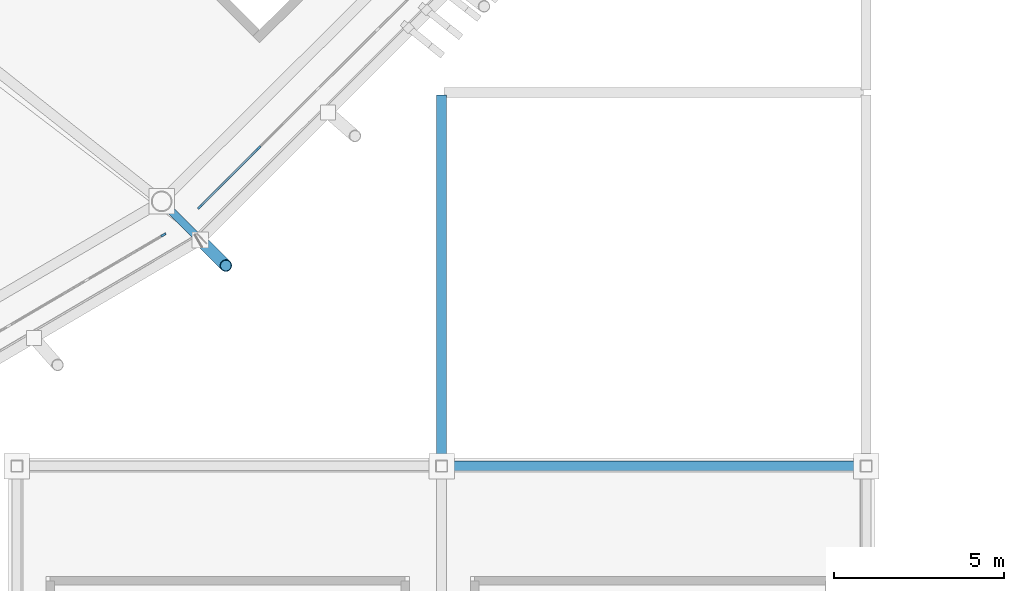
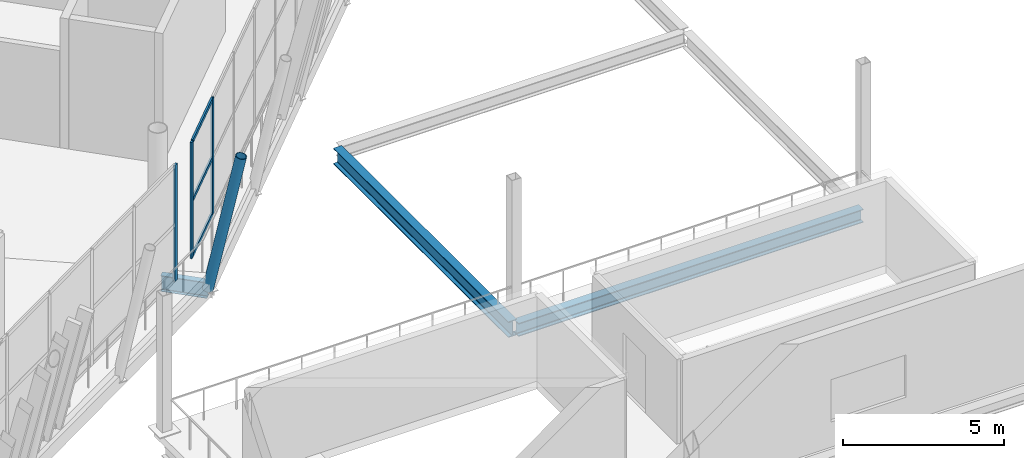
# One storey, part 55 of 178: 7 members, 3 beams, 2 elements without a shape of their own.
"""IFC4 building model written with IfcOpenShell, lengths in metres."""

from ifc_helpers import new_model, si_unit, direction, frame, origin, origin_2d, place, context, subcontext, project, spatial, rectangle, hollow_circle, i_section, extrude, material, material_profile, profile_set, type_object, element, aggregate, save


model = new_model("IFC4")

# Units and contexts
model_context = context("Model", 3, precision=1e-05, world=origin(), true_north=direction((0.0, 1.0)))
body_context = subcontext(model_context, "Body", "Model", "MODEL_VIEW")
ifc_project = project(units=[si_unit("LENGTHUNIT", "METRE"), si_unit("AREAUNIT", "SQUARE_METRE"), si_unit("VOLUMEUNIT", "CUBIC_METRE"), si_unit("PLANEANGLEUNIT", "RADIAN"), si_unit("MASSUNIT", "GRAM", prefix="KILO")], contexts=[model_context])

# Site, building, storey
site_placement = place(None, origin())
site = spatial("IfcSite", under=ifc_project, at=site_placement, CompositionType="ELEMENT")
building_placement = place(site_placement, origin())
building = spatial("IfcBuilding", under=site, at=building_placement, Name="Zlatoyarsky Gate Stadium", CompositionType="ELEMENT")
storey_placement = place(building_placement, frame((0.0, 0.0, 5.39990234375)))
storey = spatial("IfcBuildingStorey", under=building, at=storey_placement, Name="L01", CompositionType="ELEMENT", Elevation=5.39990234375)

# Curtain wall, member
ifc_material_1 = material(Name="Thermally broken anodised aluminium curtain wall", Category="aluminium")
curtain_wall_type = type_object("IfcCurtainWallType", Name="UNITISED HOSPITALITY GLAZING L01", PredefinedType="USERDEFINED", material=ifc_material_1)
curtain_wall_1_placement = place(storey_placement, origin())
curtain_wall_1 = element("IfcCurtainWall", 1, at=curtain_wall_1_placement, inside=storey, type_object=curtain_wall_type, Name="Curtain wall CW-L01-20", ObjectType="UNITISED GLAZING", PredefinedType="USERDEFINED")
ifc_material_2 = material(Name="Anodised aluminium 6063-T6", Category="aluminium")
ifc_material_profile_1 = material_profile(ifc_material_2, rectangle(XDim=0.06494140625, YDim=0.159912109375, at=origin_2d()), Name="ALU 65X160")
ifc_profile_set_1 = profile_set([ifc_material_profile_1], Name="Anodised aluminium 6063-T6")
member_type_1 = type_object("IfcMemberType", Name="ALUMINIUM MULLION 65X160", PredefinedType="MULLION", material=ifc_profile_set_1)
member_1_placement = place(storey_placement, frame((176.81494140625, 28.80712890625, 0.0), z_axis=(0.0, 0.0, 1.0), x_axis=(-0.506590401335, 0.862186850558, 0.0)))
member_1 = element("IfcMember", 2, at=member_1_placement, type_object=member_type_1, Name="CW-UG1 mullion 9", PredefinedType="MULLION", context=body_context, shape_type="SweptSolid", body=[
    extrude(rectangle(XDim=0.06494140625, YDim=0.159912109375, at=origin_2d()), origin(), (0.0, 0.0, 1.0), 4.400146484375),
])
aggregate(curtain_wall_1, [member_1])

# Curtain wall, members
curtain_wall_2_placement = place(storey_placement, origin())
curtain_wall_2 = element("IfcCurtainWall", 3, at=curtain_wall_2_placement, inside=storey, type_object=curtain_wall_type, Name="Curtain wall CW-L01-21", ObjectType="UNITISED GLAZING", PredefinedType="USERDEFINED")
member_2_placement = place(storey_placement, frame((177.886474609375, 29.635009765625, 0.0), z_axis=(0.0, 0.0, 1.0), x_axis=(-0.706370937898, 0.707841859523, 0.0)))
member_2 = element("IfcMember", 4, at=member_2_placement, type_object=member_type_1, Name="CW-UG1 mullion 1", PredefinedType="MULLION", context=body_context, shape_type="SweptSolid", body=[
    extrude(rectangle(XDim=0.06494140625, YDim=0.159912109375, at=origin_2d()), origin(), (0.0, 0.0, 1.0), 4.400146484375),
])
member_3_placement = place(storey_placement, frame((179.61376953125, 31.35888671875, 0.0), z_axis=(0.0, 0.0, 1.0), x_axis=(-0.706370937898, 0.707841859523, 0.0)))
member_3 = element("IfcMember", 5, at=member_3_placement, type_object=member_type_1, Name="CW-UG1 mullion 2", PredefinedType="MULLION", context=body_context, shape_type="SweptSolid", body=[
    extrude(rectangle(XDim=0.06494140625, YDim=0.159912109375, at=origin_2d()), origin(), (0.0, 0.0, 1.0), 4.400146484375),
])
ifc_material_profile_2 = material_profile(ifc_material_2, rectangle(XDim=0.06494140625, YDim=0.139892578125, at=origin_2d()), Name="ALU 65X140")
ifc_profile_set_2 = profile_set([ifc_material_profile_2], Name="Anodised aluminium 6063-T6")
member_type_2 = type_object("IfcMemberType", Name="ALUMINIUM TRANSOM 65X140", PredefinedType="USERDEFINED", material=ifc_profile_set_2)
member_4_placement = place(storey_placement, frame((177.909423828125, 29.657958984375, 0.03271484375), z_axis=(0.707825854859, 0.706386975526, 0.0), x_axis=(-0.706386975526, 0.707825854859, 0.0)))
member_4 = element("IfcMember", 6, at=member_4_placement, type_object=member_type_2, Name="CW-UG1 transom 1.1", ObjectType="TRANSOM", PredefinedType="USERDEFINED", context=body_context, shape_type="SweptSolid", body=[
    extrude(rectangle(XDim=0.06494140625, YDim=0.139892578125, at=origin_2d()), origin(), (0.0, 0.0, 1.0), 2.37548828125),
])
member_5_placement = place(storey_placement, frame((177.909423828125, 29.657958984375, 2.150146484375), z_axis=(0.707825854859, 0.706386975526, 0.0), x_axis=(-0.706386975526, 0.707825854859, 0.0)))
member_5 = element("IfcMember", 7, at=member_5_placement, type_object=member_type_2, Name="CW-UG1 transom 1.2", ObjectType="TRANSOM", PredefinedType="USERDEFINED", context=body_context, shape_type="SweptSolid", body=[
    extrude(rectangle(XDim=0.06494140625, YDim=0.139892578125, at=origin_2d()), origin(), (0.0, 0.0, 1.0), 2.37548828125),
])
member_6_placement = place(storey_placement, frame((177.909423828125, 29.657958984375, 4.36767578125), z_axis=(0.707825854859, 0.706386975526, 0.0), x_axis=(-0.706386975526, 0.707825854859, 0.0)))
member_6 = element("IfcMember", 8, at=member_6_placement, type_object=member_type_2, Name="CW-UG1 transom 1.3", ObjectType="TRANSOM", PredefinedType="USERDEFINED", context=body_context, shape_type="SweptSolid", body=[
    extrude(rectangle(XDim=0.06494140625, YDim=0.139892578125, at=origin_2d()), origin(), (0.0, 0.0, 1.0), 2.37548828125),
])
aggregate(curtain_wall_2, [member_2, member_3, member_4, member_5, member_6])

# Beam
ifc_material_3 = material(Name="Steel S355", Category="steel")
ifc_material_profile_3 = material_profile(ifc_material_3, i_section(OverallWidth=0.219970703125, OverallDepth=0.60009765625, WebThickness=0.011962890625, FlangeThickness=0.01904296875, FilletRadius=0.02392578125, at=origin_2d()), Name="IPE 600")
ifc_profile_set_3 = profile_set([ifc_material_profile_3], Name="Steel S355")
beam_type_1 = type_object("IfcBeamType", Name="STEEL CANTILEVER FLOOR BEAM IPE 600", PredefinedType="BEAM", material=ifc_profile_set_3)
beam_1_placement = place(storey_placement, frame((176.845703125, 29.71044921875, -0.599853515625), z_axis=(0.707106781187, -0.707106781187, 0.0), x_axis=(0.707106781187, 0.707106781187, 0.0)))
element("IfcBeam", 9, at=beam_1_placement, inside=storey, type_object=beam_type_1, Name="Beam B-IPE600 BM-L01-OUT-21", PredefinedType="BEAM", context=body_context, shape_type="SweptSolid", body=[
    extrude(i_section(OverallWidth=0.219970703125, OverallDepth=0.60009765625, WebThickness=0.011962890625, FlangeThickness=0.01904296875, FilletRadius=0.02392578125, at=origin_2d()), origin(), (0.0, 0.0, 1.0), 1.488525390625),
])

# Member
ifc_material_profile_4 = material_profile(ifc_material_3, hollow_circle(Radius=0.177734375, WallThickness=0.02001953125, at=origin_2d()), Name="CHS 355.6X20")
ifc_profile_set_4 = profile_set([ifc_material_profile_4], Name="Steel S355")
member_type_3 = type_object("IfcMemberType", Name="STEEL LEANING RIB RING STRUT CHS 355.6X20", PredefinedType="STRUT", material=ifc_profile_set_4)
member_7_placement = place(storey_placement, frame((177.898193359375, 28.657958984375, -0.599853515625), z_axis=(0.141682614506, -0.141636792186, 0.979727031293), x_axis=(0.706992408883, 0.707221134994, 0.0)))
element("IfcMember", 10, at=member_7_placement, inside=storey, type_object=member_type_3, Name="Leaning ring strut 21 L01 to L02", PredefinedType="STRUT", context=body_context, shape_type="SweptSolid", body=[
    extrude(hollow_circle(Radius=0.177734375, WallThickness=0.02001953125, at=origin_2d()), origin(), (0.0, 0.0, 1.0), 5.327880859375),
])

# Beams
ifc_material_profile_5 = material_profile(ifc_material_3, i_section(OverallWidth=0.300048828125, OverallDepth=0.5, WebThickness=0.014404296875, FlangeThickness=0.028076171875, FilletRadius=0.027099609375, at=origin_2d()), Name="HEB 500")
ifc_profile_set_5 = profile_set([ifc_material_profile_5], Name="Steel S355")
beam_type_2 = type_object("IfcBeamType", Name="STEEL PRIMARY GIRDER HEB 500", PredefinedType="BEAM", material=ifc_profile_set_5)
beam_2_placement = place(storey_placement, frame((185.080078125, 22.0, -0.5498046875), z_axis=(1.0, 0.0, 0.0), x_axis=(0.0, 1.0, 0.0)))
element("IfcBeam", 11, at=beam_2_placement, inside=storey, type_object=beam_type_2, Name="Beam G-HEB500 BM-L01-WGX-16-C", PredefinedType="BEAM", context=body_context, shape_type="SweptSolid", body=[
    extrude(i_section(OverallWidth=0.300048828125, OverallDepth=0.5, WebThickness=0.014404296875, FlangeThickness=0.028076171875, FilletRadius=0.027099609375, at=origin_2d()), origin(), (0.0, 0.0, 1.0), 12.33984375),
])
ifc_material_profile_6 = material_profile(ifc_material_3, i_section(OverallWidth=0.300048828125, OverallDepth=0.60009765625, WebThickness=0.015380859375, FlangeThickness=0.030029296875, FilletRadius=0.027099609375, at=origin_2d()), Name="HEB 600")
ifc_profile_set_6 = profile_set([ifc_material_profile_6], Name="Steel S355")
beam_type_3 = type_object("IfcBeamType", Name="STEEL PRIMARY GIRDER HEB 600", PredefinedType="BEAM", material=ifc_profile_set_6)
beam_3_placement = place(storey_placement, frame((185.0, 22.080078125, -0.599853515625), z_axis=(0.0, 1.0, 0.0), x_axis=(-1.0, 0.0, 0.0)))
element("IfcBeam", 12, at=beam_3_placement, inside=storey, type_object=beam_type_3, Name="Beam G-HEB600 BM-L01-WGY-16-C", PredefinedType="BEAM", context=body_context, shape_type="SweptSolid", body=[
    extrude(i_section(OverallWidth=0.300048828125, OverallDepth=0.60009765625, WebThickness=0.015380859375, FlangeThickness=0.030029296875, FilletRadius=0.027099609375, at=origin_2d()), origin(), (0.0, 0.0, 1.0), 10.83984375),
])

save(model, "model.ifc")
